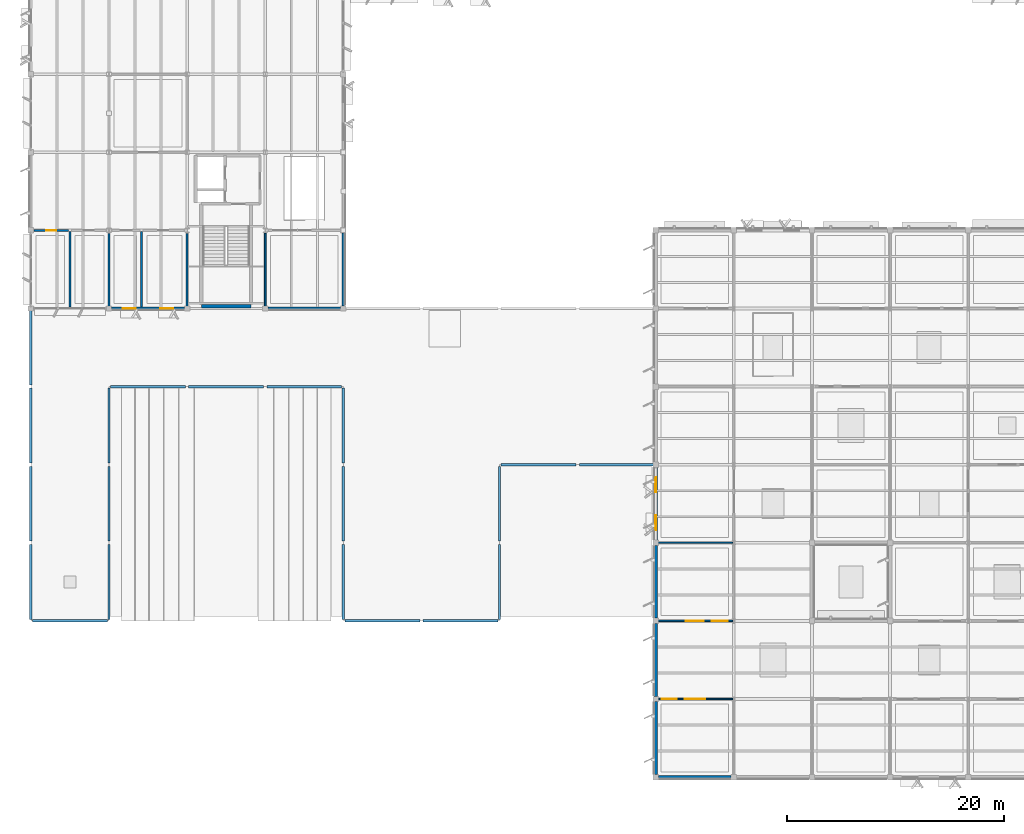
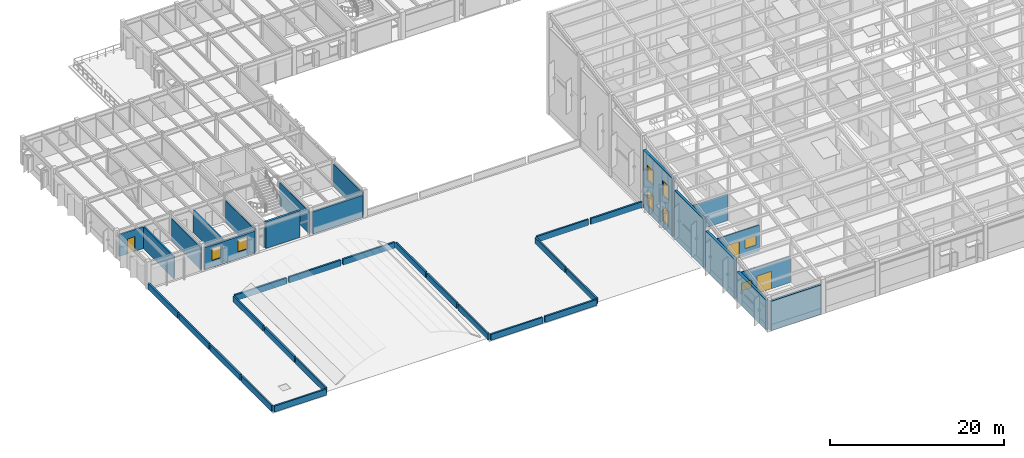
# One storey, part 31 of 82: 38 walls, 8 windows, 3 doors, 11 openings.
"""IFC4 building model written with IfcOpenShell, lengths in metres."""

from ifc_helpers import new_model, si_unit, direction, frame, frame_2d, origin, place, context, subcontext, project, spatial, rectangle, extrude, material, layer, layer_set, type_object, element, fill, save


model = new_model("IFC4")

# Units and contexts
model_context = context("Model", 3, precision=1e-05, world=origin(), true_north=direction((0.0, 1.0)))
body_context = subcontext(model_context, "Body", "Model", "MODEL_VIEW")
ifc_project = project(units=[si_unit("LENGTHUNIT", "METRE"), si_unit("AREAUNIT", "SQUARE_METRE"), si_unit("VOLUMEUNIT", "CUBIC_METRE"), si_unit("PLANEANGLEUNIT", "RADIAN"), si_unit("MASSUNIT", "GRAM", prefix="KILO")], contexts=[model_context])

# Site, building, storey
site_placement = place(None, origin())
site = spatial("IfcSite", under=ifc_project, at=site_placement, CompositionType="ELEMENT")
building_placement = place(site_placement, origin())
building = spatial("IfcBuilding", under=site, at=building_placement, Name="Sillqori Civic Hall", CompositionType="ELEMENT")
storey_placement = place(building_placement, frame((0.0, 0.0, 14.10009765625)))
storey = spatial("IfcBuildingStorey", under=building, at=storey_placement, Name="L04", CompositionType="ELEMENT", Elevation=14.10009765625)

# Walls
ifc_material_1 = material(Name="Concrete C35/45 (H35)", Category="concrete")
ifc_layer_1 = layer(ifc_material_1, 0.300048828125)
ifc_layer_set_1 = layer_set([ifc_layer_1], Name="Concrete C35/45 (H35)")
wall_type_1 = type_object("IfcWallType", Name="CW-SHR-300", PredefinedType="SHEAR", material=ifc_layer_set_1)
wall_1_placement = place(storey_placement, frame((22.909912109375, 50.60009765625, 0.0), z_axis=(0.0, 0.0, 1.0), x_axis=(1.0, 0.0, 0.0)))
element("IfcWall", 1, at=wall_1_placement, inside=storey, type_object=wall_type_1, Name="L04 C4 Stair south shear wall", PredefinedType="SHEAR", context=body_context, shape_type="SweptSolid", body=[
    extrude(rectangle(XDim=4.580078125, YDim=0.300048828125, at=frame_2d((2.2900390625, 0.0))), origin(), (0.0, 0.0, 1.0), 3.719970703125),
])
ifc_material_2 = material(Name="Precast concrete C40/50 (H40)", Category="concrete")
ifc_layer_2 = layer(ifc_material_2, 0.320068359375)
ifc_layer_set_2 = layer_set([ifc_layer_2], Name="Precast concrete C40/50 (H40)")
wall_type_2 = type_object("IfcWallType", Name="EW-LIME-320", PredefinedType="SOLIDWALL", material=ifc_layer_set_2)
wall_2_placement = place(storey_placement, frame((71.75, 7.199951171875, 0.0), z_axis=(0.0, 0.0, 1.0), x_axis=(-1.0, 0.0, 0.0)))
element("IfcWall", 2, at=wall_2_placement, inside=storey, type_object=wall_type_2, Name="L04 V2 exterior wall L04-09-01-S", PredefinedType="SOLIDWALL", context=body_context, shape_type="SweptSolid", body=[
    extrude(rectangle(XDim=6.699951171875, YDim=0.320068359375, at=frame_2d((3.35009765625, 0.0))), origin(), (0.0, 0.0, 1.0), 4.149169921875),
])
wall_3_placement = place(storey_placement, frame((64.800048828125, 7.449951171875, 0.0), z_axis=(0.0, 0.0, 1.0), x_axis=(0.0, 1.0, 0.0)))
element("IfcWall", 3, at=wall_3_placement, inside=storey, type_object=wall_type_2, Name="L04 V2 exterior wall L04-09-01-W", PredefinedType="SOLIDWALL", context=body_context, shape_type="SweptSolid", body=[
    extrude(rectangle(XDim=6.699951171875, YDim=0.320068359375, at=frame_2d((3.35009765625, 0.0))), origin(), (0.0, 0.0, 1.0), 4.193115234375),
])
wall_4_placement = place(storey_placement, frame((64.800048828125, 14.64990234375, 0.0), z_axis=(0.0, 0.0, 1.0), x_axis=(0.0, 1.0, 0.0)))
element("IfcWall", 4, at=wall_4_placement, inside=storey, type_object=wall_type_2, Name="L04 V2 exterior wall L04-09-02-W", PredefinedType="SOLIDWALL", context=body_context, shape_type="SweptSolid", body=[
    extrude(rectangle(XDim=6.7001953125, YDim=0.320068359375, at=frame_2d((3.35009765625, 0.0))), origin(), (0.0, 0.0, 1.0), 5.5361328125),
])
wall_5_placement = place(storey_placement, frame((64.800048828125, 21.85009765625, 0.0), z_axis=(0.0, 0.0, 1.0), x_axis=(0.0, 1.0, 0.0)))
element("IfcWall", 5, at=wall_5_placement, inside=storey, type_object=wall_type_2, Name="L04 V2 exterior wall L04-09-03-W", PredefinedType="SOLIDWALL", context=body_context, shape_type="SweptSolid", body=[
    extrude(rectangle(XDim=6.699951171875, YDim=0.320068359375, at=frame_2d((3.35009765625, 0.0))), origin(), (0.0, 0.0, 1.0), 6.87890625),
])

# Wall, openings, windows
wall_6_placement = place(storey_placement, frame((64.800048828125, 29.050048828125, 0.0), z_axis=(0.0, 0.0, 1.0), x_axis=(0.0, 1.0, 0.0)))
wall_6 = element("IfcWall", 6, at=wall_6_placement, inside=storey, type_object=wall_type_2, Name="L04 V2 exterior wall L04-09-04-W", PredefinedType="SOLIDWALL", context=body_context, shape_type="SweptSolid", body=[
    extrude(rectangle(XDim=6.699951171875, YDim=0.320068359375, at=frame_2d((3.35009765625, 0.0))), origin(), (0.0, 0.0, 1.0), 8.221923828125),
])
opening_1_placement = place(wall_6_placement, frame((0.907958984375, 0.0, 0.949951171875)))
opening_1 = element("IfcOpeningElement", 7, at=opening_1_placement, cuts=wall_6, Name="Opening W-03", PredefinedType="OPENING", context=body_context, shape_type="SweptSolid", body=[
    extrude(rectangle(XDim=1.39990234375, YDim=2.10009765625, at=frame_2d((0.699951171875, 1.050048828125))), frame((0.0, 0.169921875, 0.0), z_axis=(0.0, -1.0, 0.0), x_axis=(1.0, 0.0, 0.0)), (0.0, 0.0, 1.0), 0.340087890625),
])
opening_2_placement = place(wall_6_placement, frame((0.907958984375, 0.0, 4.550048828125)))
opening_2 = element("IfcOpeningElement", 8, at=opening_2_placement, cuts=wall_6, Name="Opening W-03", PredefinedType="OPENING", context=body_context, shape_type="SweptSolid", body=[
    extrude(rectangle(XDim=1.39990234375, YDim=2.10009765625, at=frame_2d((0.699951171875, 1.050048828125))), frame((0.0, 0.169921875, 0.0), z_axis=(0.0, -1.0, 0.0), x_axis=(1.0, 0.0, 0.0)), (0.0, 0.0, 1.0), 0.340087890625),
])
opening_3_placement = place(wall_6_placement, frame((4.39208984375, 0.0, 0.949951171875)))
opening_3 = element("IfcOpeningElement", 9, at=opening_3_placement, cuts=wall_6, Name="Opening W-03", PredefinedType="OPENING", context=body_context, shape_type="SweptSolid", body=[
    extrude(rectangle(XDim=1.39990234375, YDim=2.10009765625, at=frame_2d((0.699951171875, 1.050048828125))), frame((0.0, 0.169921875, 0.0), z_axis=(0.0, -1.0, 0.0), x_axis=(1.0, 0.0, 0.0)), (0.0, 0.0, 1.0), 0.340087890625),
])
opening_4_placement = place(wall_6_placement, frame((4.39208984375, 0.0, 4.550048828125)))
opening_4 = element("IfcOpeningElement", 10, at=opening_4_placement, cuts=wall_6, Name="Opening W-03", PredefinedType="OPENING", context=body_context, shape_type="SweptSolid", body=[
    extrude(rectangle(XDim=1.39990234375, YDim=2.10009765625, at=frame_2d((0.699951171875, 1.050048828125))), frame((0.0, 0.169921875, 0.0), z_axis=(0.0, -1.0, 0.0), x_axis=(1.0, 0.0, 0.0)), (0.0, 0.0, 1.0), 0.340087890625),
])
ifc_material_3 = material(Name="Thermally Broken Aluminium Low-E Window", Category="aluminium")
window_type_1 = type_object("IfcWindowType", Name="WIN-V2-140X210", PartitioningType="SINGLE_PANEL", PredefinedType="WINDOW", material=ifc_material_3)
window_1_placement = place(opening_1_placement, origin())
window_1 = element("IfcWindow", 11, at=window_1_placement, inside=storey, type_object=window_type_1, Name="L04 V2 window L04-09-04-W.1", OverallHeight=2.10009765625, OverallWidth=1.39990234375, PartitioningType="SINGLE_PANEL", PredefinedType="WINDOW", context=body_context, shape_type="SweptSolid", body=[
    extrude(rectangle(XDim=1.39990234375, YDim=2.10009765625, at=frame_2d((0.699951171875, 1.050048828125))), frame((0.0, 0.030029296875, 0.0), z_axis=(0.0, -1.0, 0.0), x_axis=(1.0, 0.0, 0.0)), (0.0, 0.0, 1.0), 0.06005859375),
])
fill(opening_1, window_1)
window_2_placement = place(opening_2_placement, origin())
window_2 = element("IfcWindow", 12, at=window_2_placement, inside=storey, type_object=window_type_1, Name="L04 V2 upper clerestory window L04-09-04-W.1", OverallHeight=2.10009765625, OverallWidth=1.39990234375, PartitioningType="SINGLE_PANEL", PredefinedType="WINDOW", context=body_context, shape_type="SweptSolid", body=[
    extrude(rectangle(XDim=1.39990234375, YDim=2.10009765625, at=frame_2d((0.699951171875, 1.050048828125))), frame((0.0, 0.030029296875, 0.0), z_axis=(0.0, -1.0, 0.0), x_axis=(1.0, 0.0, 0.0)), (0.0, 0.0, 1.0), 0.06005859375),
])
fill(opening_2, window_2)
window_3_placement = place(opening_3_placement, origin())
window_3 = element("IfcWindow", 13, at=window_3_placement, inside=storey, type_object=window_type_1, Name="L04 V2 window L04-09-04-W.2", OverallHeight=2.10009765625, OverallWidth=1.39990234375, PartitioningType="SINGLE_PANEL", PredefinedType="WINDOW", context=body_context, shape_type="SweptSolid", body=[
    extrude(rectangle(XDim=1.39990234375, YDim=2.10009765625, at=frame_2d((0.699951171875, 1.050048828125))), frame((0.0, 0.030029296875, 0.0), z_axis=(0.0, -1.0, 0.0), x_axis=(1.0, 0.0, 0.0)), (0.0, 0.0, 1.0), 0.06005859375),
])
fill(opening_3, window_3)
window_4_placement = place(opening_4_placement, origin())
window_4 = element("IfcWindow", 14, at=window_4_placement, inside=storey, type_object=window_type_1, Name="L04 V2 upper clerestory window L04-09-04-W.2", OverallHeight=2.10009765625, OverallWidth=1.39990234375, PartitioningType="SINGLE_PANEL", PredefinedType="WINDOW", context=body_context, shape_type="SweptSolid", body=[
    extrude(rectangle(XDim=1.39990234375, YDim=2.10009765625, at=frame_2d((0.699951171875, 1.050048828125))), frame((0.0, 0.030029296875, 0.0), z_axis=(0.0, -1.0, 0.0), x_axis=(1.0, 0.0, 0.0)), (0.0, 0.0, 1.0), 0.06005859375),
])
fill(opening_4, window_4)

ifc_material_4 = material(Name="Concrete C30/37 (H30)", Category="concrete")
ifc_layer_3 = layer(ifc_material_4, 0.239990234375)
ifc_layer_set_3 = layer_set([ifc_layer_3], Name="Concrete C30/37 (H30)")
wall_type_3 = type_object("IfcWallType", Name="EW-MAS-240", PredefinedType="SOLIDWALL", material=ifc_layer_set_3)
wall_7_placement = place(storey_placement, frame((21.35009765625, 50.39990234375, 0.0), z_axis=(0.0, 0.0, 1.0), x_axis=(-1.0, 0.0, 0.0)))
wall_7 = element("IfcWall", 15, at=wall_7_placement, inside=storey, type_object=wall_type_3, Name="L04 V5 exterior wall L04-02-07-S", PredefinedType="SOLIDWALL", context=body_context, shape_type="SweptSolid", body=[
    extrude(rectangle(XDim=6.7001953125, YDim=0.239990234375, at=frame_2d((3.35009765625, 0.0))), origin(), (0.0, 0.0, 1.0), 3.117919921875),
])
opening_5_placement = place(wall_7_placement, frame((1.008056640625, 0.0, 0.949951171875)))
opening_5 = element("IfcOpeningElement", 16, at=opening_5_placement, cuts=wall_7, Name="Opening W-22", PredefinedType="OPENING", context=body_context, shape_type="SweptSolid", body=[
    extrude(rectangle(XDim=1.199951171875, YDim=1.699951171875, at=frame_2d((0.60009765625, 0.85009765625))), frame((0.0, 0.1298828125, 0.0), z_axis=(0.0, -1.0, 0.0), x_axis=(1.0, 0.0, 0.0)), (0.0, 0.0, 1.0), 0.260009765625),
])
opening_6_placement = place(wall_7_placement, frame((4.491943359375, 0.0, 0.949951171875)))
opening_6 = element("IfcOpeningElement", 17, at=opening_6_placement, cuts=wall_7, Name="Opening W-22", PredefinedType="OPENING", context=body_context, shape_type="SweptSolid", body=[
    extrude(rectangle(XDim=1.199951171875, YDim=1.699951171875, at=frame_2d((0.60009765625, 0.85009765625))), frame((0.0, 0.1298828125, 0.0), z_axis=(0.0, -1.0, 0.0), x_axis=(1.0, 0.0, 0.0)), (0.0, 0.0, 1.0), 0.260009765625),
])
window_type_2 = type_object("IfcWindowType", Name="WIN-V5-120X170", PartitioningType="SINGLE_PANEL", PredefinedType="WINDOW", material=ifc_material_3)
window_5_placement = place(opening_5_placement, origin())
window_5 = element("IfcWindow", 18, at=window_5_placement, inside=storey, type_object=window_type_2, Name="L04 V5 window L04-02-07-S.1", OverallHeight=1.699951171875, OverallWidth=1.199951171875, PartitioningType="SINGLE_PANEL", PredefinedType="WINDOW", context=body_context, shape_type="SweptSolid", body=[
    extrude(rectangle(XDim=1.199951171875, YDim=1.699951171875, at=frame_2d((0.60009765625, 0.85009765625))), frame((0.0, 0.030029296875, 0.0), z_axis=(0.0, -1.0, 0.0), x_axis=(1.0, 0.0, 0.0)), (0.0, 0.0, 1.0), 0.06005859375),
])
fill(opening_5, window_5)
window_6_placement = place(opening_6_placement, origin())
window_6 = element("IfcWindow", 19, at=window_6_placement, inside=storey, type_object=window_type_2, Name="L04 V5 window L04-02-07-S.2", OverallHeight=1.699951171875, OverallWidth=1.199951171875, PartitioningType="SINGLE_PANEL", PredefinedType="WINDOW", context=body_context, shape_type="SweptSolid", body=[
    extrude(rectangle(XDim=1.199951171875, YDim=1.699951171875, at=frame_2d((0.60009765625, 0.85009765625))), frame((0.0, 0.030029296875, 0.0), z_axis=(0.0, -1.0, 0.0), x_axis=(1.0, 0.0, 0.0)), (0.0, 0.0, 1.0), 0.06005859375),
])
fill(opening_6, window_6)

# Walls
wall_8_placement = place(storey_placement, frame((35.75, 50.39990234375, 0.0), z_axis=(0.0, 0.0, 1.0), x_axis=(-1.0, 0.0, 0.0)))
element("IfcWall", 20, at=wall_8_placement, inside=storey, type_object=wall_type_3, Name="L04 V5 exterior wall L04-04-07-S", PredefinedType="SOLIDWALL", context=body_context, shape_type="SweptSolid", body=[
    extrude(rectangle(XDim=6.699951171875, YDim=0.239990234375, at=frame_2d((3.35009765625, 0.0))), origin(), (0.0, 0.0, 1.0), 3.117919921875),
])
wall_9_placement = place(storey_placement, frame((36.0, 57.35009765625, 0.0), z_axis=(0.0, 0.0, 1.0), x_axis=(0.0, -1.0, 0.0)))
element("IfcWall", 21, at=wall_9_placement, inside=storey, type_object=wall_type_3, Name="L04 V5 exterior wall L04-04-07-E", PredefinedType="SOLIDWALL", context=body_context, shape_type="SweptSolid", body=[
    extrude(rectangle(XDim=6.7001953125, YDim=0.239990234375, at=frame_2d((3.35009765625, 0.0))), origin(), (0.0, 0.0, 1.0), 3.19189453125),
])

# Wall, openings, door, window
ifc_material_5 = material(Name="Framed Acoustic Glazed Office Screen 106", Category="glass")
ifc_layer_4 = layer(ifc_material_5, 0.10595703125)
ifc_layer_set_4 = layer_set([ifc_layer_4], Name="Framed Acoustic Glazed Office Screen 106")
wall_type_4 = type_object("IfcWallType", Name="PT-GLZ-106", PredefinedType="PARTITIONING", material=ifc_layer_set_4)
wall_10_placement = place(storey_placement, frame((64.919921875, 14.39990234375, 0.0), z_axis=(0.0, 0.0, 1.0), x_axis=(1.0, 0.0, 0.0)))
wall_10 = element("IfcWall", 22, at=wall_10_placement, inside=storey, type_object=wall_type_4, Name="Wedge Sky-Lit Public Exhibition Hall partition N1", PredefinedType="PARTITIONING", context=body_context, shape_type="SweptSolid", body=[
    extrude(rectangle(XDim=6.9599609375, YDim=0.10595703125, at=frame_2d((3.47998046875, 0.0))), origin(), (0.0, 0.0, 1.0), 3.719970703125),
])
opening_7_placement = place(wall_10_placement, frame((2.530029296875, 0.0, 0.0)))
opening_7 = element("IfcOpeningElement", 23, at=opening_7_placement, cuts=wall_10, Name="Opening ID-11", PredefinedType="OPENING", context=body_context, shape_type="SweptSolid", body=[
    extrude(rectangle(XDim=1.89990234375, YDim=2.449951171875, at=frame_2d((0.949951171875, 1.22509765625))), frame((0.0, 0.06298828125, 0.0), z_axis=(0.0, -1.0, 0.0), x_axis=(1.0, 0.0, 0.0)), (0.0, 0.0, 1.0), 0.1259765625),
])
opening_8_placement = place(wall_10_placement, frame((0.449951171875, 0.0, 1.050048828125)))
opening_8 = element("IfcOpeningElement", 24, at=opening_8_placement, cuts=wall_10, Name="Opening IW-39", PredefinedType="OPENING", context=body_context, shape_type="SweptSolid", body=[
    extrude(rectangle(XDim=1.360107421875, YDim=1.10009765625, at=frame_2d((0.68017578125, 0.550048828125))), frame((0.0, 0.06298828125, 0.0), z_axis=(0.0, -1.0, 0.0), x_axis=(1.0, 0.0, 0.0)), (0.0, 0.0, 1.0), 0.1259765625),
])
ifc_material_6 = material(Name="Exhibition Gallery Portal Door", Category="aluminium")
door_type_1 = type_object("IfcDoorType", Name="IDR-EXH-190X245", OperationType="NOTDEFINED", PredefinedType="DOOR", material=ifc_material_6)
door_1_placement = place(opening_7_placement, origin())
door_1 = element("IfcDoor", 25, at=door_1_placement, inside=storey, type_object=door_type_1, Name="Wedge Sky-Lit Public Exhibition Hall entrance door", OperationType="DOUBLE_DOOR_SINGLE_SWING", OverallHeight=2.449951171875, OverallWidth=1.89990234375, PredefinedType="DOOR", context=body_context, shape_type="SweptSolid", body=[
    extrude(rectangle(XDim=1.89990234375, YDim=2.449951171875, at=frame_2d((0.949951171875, 1.22509765625))), frame((0.0, 0.02490234375, 0.0), z_axis=(0.0, -1.0, 0.0), x_axis=(1.0, 0.0, 0.0)), (0.0, 0.0, 1.0), 0.050048828125),
])
fill(opening_7, door_1)
ifc_material_7 = material(Name="Acoustic Laminated Interior Clerestory Glazing", Category="glass")
window_type_3 = type_object("IfcWindowType", Name="IWN-GAL-136X110", PartitioningType="SINGLE_PANEL", PredefinedType="WINDOW", material=ifc_material_7)
window_7_placement = place(opening_8_placement, origin())
window_7 = element("IfcWindow", 26, at=window_7_placement, inside=storey, type_object=window_type_3, Name="Wedge Sky-Lit Public Exhibition Hall borrowed-light screen", OverallHeight=1.10009765625, OverallWidth=1.360107421875, PartitioningType="SINGLE_PANEL", PredefinedType="WINDOW", context=body_context, shape_type="SweptSolid", body=[
    extrude(rectangle(XDim=1.360107421875, YDim=1.10009765625, at=frame_2d((0.68017578125, 0.550048828125))), frame((0.0, 0.030029296875, 0.0), z_axis=(0.0, -1.0, 0.0), x_axis=(1.0, 0.0, 0.0)), (0.0, 0.0, 1.0), 0.06005859375),
])
fill(opening_8, window_7)

# Wall
ifc_material_8 = material(Name="Double-Glazed Civic Suite Screen 118", Category="glass")
ifc_layer_5 = layer(ifc_material_8, 0.117919921875)
ifc_layer_set_5 = layer_set([ifc_layer_5], Name="Double-Glazed Civic Suite Screen 118")
wall_type_5 = type_object("IfcWallType", Name="PT-GLZ-118", PredefinedType="PARTITIONING", material=ifc_layer_set_5)
wall_11_placement = place(storey_placement, frame((64.919921875, 28.800048828125, 0.0), z_axis=(0.0, 0.0, 1.0), x_axis=(1.0, 0.0, 0.0)))
element("IfcWall", 27, at=wall_11_placement, inside=storey, type_object=wall_type_5, Name="Metropolitan Regional Assembly Forum partition N2", PredefinedType="PARTITIONING", context=body_context, shape_type="SweptSolid", body=[
    extrude(rectangle(XDim=6.9599609375, YDim=0.117919921875, at=frame_2d((3.47998046875, 0.0))), origin(), (0.0, 0.0, 1.0), 3.719970703125),
])

# Wall, openings, door, window
ifc_material_9 = material(Name="Corridor Fire-Rated Partition 150", Category="gypsum")
ifc_layer_6 = layer(ifc_material_9, 0.14990234375)
ifc_layer_set_6 = layer_set([ifc_layer_6], Name="Corridor Fire-Rated Partition 150")
wall_type_6 = type_object("IfcWallType", Name="PT-GYP-150", PredefinedType="PARTITIONING", material=ifc_layer_set_6)
wall_12_placement = place(storey_placement, frame((71.8798828125, 21.60009765625, 0.0), z_axis=(0.0, 0.0, 1.0), x_axis=(-1.0, 0.0, 0.0)))
wall_12 = element("IfcWall", 28, at=wall_12_placement, inside=storey, type_object=wall_type_6, Name="Metropolitan Regional Assembly Forum partition S1", PredefinedType="PARTITIONING", context=body_context, shape_type="SweptSolid", body=[
    extrude(rectangle(XDim=6.9599609375, YDim=0.14990234375, at=frame_2d((3.47998046875, 0.0))), origin(), (0.0, 0.0, 1.0), 3.719970703125),
])
opening_9_placement = place(wall_12_placement, frame((2.655029296875, 0.0, 0.0)))
opening_9 = element("IfcOpeningElement", 29, at=opening_9_placement, cuts=wall_12, Name="Opening ID-04", PredefinedType="OPENING", context=body_context, shape_type="SweptSolid", body=[
    extrude(rectangle(XDim=1.64990234375, YDim=2.35009765625, at=frame_2d((0.824951171875, 1.175048828125))), frame((0.0, 0.0849609375, 0.0), z_axis=(0.0, -1.0, 0.0), x_axis=(1.0, 0.0, 0.0)), (0.0, 0.0, 1.0), 0.169921875),
])
opening_10_placement = place(wall_12_placement, frame((0.449951171875, 0.0, 1.050048828125)))
opening_10 = element("IfcOpeningElement", 30, at=opening_10_placement, cuts=wall_12, Name="Opening IW-40", PredefinedType="OPENING", context=body_context, shape_type="SweptSolid", body=[
    extrude(rectangle(XDim=1.47998046875, YDim=1.340087890625, at=frame_2d((0.739990234375, 0.669921875))), frame((0.0, 0.0849609375, 0.0), z_axis=(0.0, -1.0, 0.0), x_axis=(1.0, 0.0, 0.0)), (0.0, 0.0, 1.0), 0.169921875),
])
ifc_material_10 = material(Name="Caucus Salon Acoustic Double Door", Category="timber")
door_type_2 = type_object("IfcDoorType", Name="IDR-COM-165X235", OperationType="NOTDEFINED", PredefinedType="DOOR", material=ifc_material_10)
door_2_placement = place(opening_9_placement, origin())
door_2 = element("IfcDoor", 31, at=door_2_placement, inside=storey, type_object=door_type_2, Name="Metropolitan Regional Assembly Forum entrance door", OperationType="DOUBLE_DOOR_SINGLE_SWING", OverallHeight=2.35009765625, OverallWidth=1.64990234375, PredefinedType="DOOR", context=body_context, shape_type="SweptSolid", body=[
    extrude(rectangle(XDim=1.64990234375, YDim=2.35009765625, at=frame_2d((0.824951171875, 1.175048828125))), frame((0.0, 0.02490234375, 0.0), z_axis=(0.0, -1.0, 0.0), x_axis=(1.0, 0.0, 0.0)), (0.0, 0.0, 1.0), 0.050048828125),
])
fill(opening_9, door_2)
window_type_4 = type_object("IfcWindowType", Name="IWN-GAL-148X134", PartitioningType="SINGLE_PANEL", PredefinedType="WINDOW", material=ifc_material_7)
window_8_placement = place(opening_10_placement, origin())
window_8 = element("IfcWindow", 32, at=window_8_placement, inside=storey, type_object=window_type_4, Name="Metropolitan Regional Assembly Forum borrowed-light screen", OverallHeight=1.340087890625, OverallWidth=1.47998046875, PartitioningType="SINGLE_PANEL", PredefinedType="WINDOW", context=body_context, shape_type="SweptSolid", body=[
    extrude(rectangle(XDim=1.47998046875, YDim=1.340087890625, at=frame_2d((0.739990234375, 0.669921875))), frame((0.0, 0.030029296875, 0.0), z_axis=(0.0, -1.0, 0.0), x_axis=(1.0, 0.0, 0.0)), (0.0, 0.0, 1.0), 0.06005859375),
])
fill(opening_10, window_8)

# Wall
ifc_material_11 = material(Name="Concrete C25/30 (H25)", Category="concrete")
ifc_layer_7 = layer(ifc_material_11, 0.175048828125)
ifc_layer_set_7 = layer_set([ifc_layer_7], Name="Concrete C25/30 (H25)")
wall_type_7 = type_object("IfcWallType", Name="PT-MAS-175", PredefinedType="PARTITIONING", material=ifc_layer_set_7)
wall_13_placement = place(storey_placement, frame((28.800048828125, 50.52001953125, 0.0), z_axis=(0.0, 0.0, 1.0), x_axis=(0.0, 1.0, 0.0)))
element("IfcWall", 33, at=wall_13_placement, inside=storey, type_object=wall_type_7, Name="Councillors Legislative Research Suite partition W2", PredefinedType="PARTITIONING", context=body_context, shape_type="SweptSolid", body=[
    extrude(rectangle(XDim=6.800048828125, YDim=0.175048828125, at=frame_2d((3.39990234375, 0.0))), origin(), (0.0, 0.0, 1.0), 3.10791015625),
])

# Wall, opening, door
ifc_layer_8 = layer(ifc_material_11, 0.18994140625)
ifc_layer_set_8 = layer_set([ifc_layer_8], Name="Concrete C25/30 (H25)")
wall_type_8 = type_object("IfcWallType", Name="PT-MAS-190", PredefinedType="PARTITIONING", material=ifc_layer_set_8)
wall_14_placement = place(storey_placement, frame((7.47998046875, 57.60009765625, 0.0), z_axis=(0.0, 0.0, 1.0), x_axis=(1.0, 0.0, 0.0)))
wall_14 = element("IfcWall", 34, at=wall_14_placement, inside=storey, type_object=wall_type_8, Name="L04 Public Male WC partition N1", PredefinedType="PARTITIONING", context=body_context, shape_type="SweptSolid", body=[
    extrude(rectangle(XDim=3.199951171875, YDim=0.18994140625, at=frame_2d((1.60009765625, 0.0))), origin(), (0.0, 0.0, 1.0), 3.087890625),
])
opening_11_placement = place(wall_14_placement, frame((1.1201171875, 0.0, 0.0)))
opening_11 = element("IfcOpeningElement", 35, at=opening_11_placement, cuts=wall_14, Name="Opening ID-20", PredefinedType="OPENING", context=body_context, shape_type="SweptSolid", body=[
    extrude(rectangle(XDim=0.9599609375, YDim=2.10009765625, at=frame_2d((0.47998046875, 1.050048828125))), frame((0.0, 0.10498046875, 0.0), z_axis=(0.0, -1.0, 0.0), x_axis=(1.0, 0.0, 0.0)), (0.0, 0.0, 1.0), 0.2099609375),
])
ifc_material_12 = material(Name="Moisture-Resistant Sanitary Door 960", Category="timber")
door_type_3 = type_object("IfcDoorType", Name="IDR-WC-096X210", OperationType="NOTDEFINED", PredefinedType="DOOR", material=ifc_material_12)
door_3_placement = place(opening_11_placement, origin())
door_3 = element("IfcDoor", 36, at=door_3_placement, inside=storey, type_object=door_type_3, Name="L04 Public Male WC entrance door", OperationType="SINGLE_SWING_LEFT", OverallHeight=2.10009765625, OverallWidth=0.9599609375, PredefinedType="DOOR", context=body_context, shape_type="SweptSolid", body=[
    extrude(rectangle(XDim=0.9599609375, YDim=2.10009765625, at=frame_2d((0.47998046875, 1.050048828125))), frame((0.0, 0.02490234375, 0.0), z_axis=(0.0, -1.0, 0.0), x_axis=(1.0, 0.0, 0.0)), (0.0, 0.0, 1.0), 0.050048828125),
])
fill(opening_11, door_3)

# Walls
wall_15_placement = place(storey_placement, frame((10.800048828125, 57.47998046875, 0.0), z_axis=(0.0, 0.0, 1.0), x_axis=(0.0, -1.0, 0.0)))
element("IfcWall", 37, at=wall_15_placement, inside=storey, type_object=wall_type_8, Name="L04 Public Male WC partition E2", PredefinedType="PARTITIONING", context=body_context, shape_type="SweptSolid", body=[
    extrude(rectangle(XDim=6.9599609375, YDim=0.18994140625, at=frame_2d((3.47998046875, 0.0))), origin(), (0.0, 0.0, 1.0), 3.087890625),
])
wall_16_placement = place(storey_placement, frame((14.39990234375, 57.320068359375, 0.0), z_axis=(0.0, 0.0, 1.0), x_axis=(0.0, -1.0, 0.0)))
element("IfcWall", 38, at=wall_16_placement, inside=storey, type_object=wall_type_8, Name="L04 Public Female WC partition E3", PredefinedType="PARTITIONING", context=body_context, shape_type="SweptSolid", body=[
    extrude(rectangle(XDim=6.800048828125, YDim=0.18994140625, at=frame_2d((3.39990234375, 0.0))), origin(), (0.0, 0.0, 1.0), 3.087890625),
])
wall_17_placement = place(storey_placement, frame((17.39990234375, 57.47998046875, 0.0), z_axis=(0.0, 0.0, 1.0), x_axis=(0.0, -1.0, 0.0)))
element("IfcWall", 39, at=wall_17_placement, inside=storey, type_object=wall_type_8, Name="L04 Accessible WC partition E3", PredefinedType="PARTITIONING", context=body_context, shape_type="SweptSolid", body=[
    extrude(rectangle(XDim=6.9599609375, YDim=0.18994140625, at=frame_2d((3.47998046875, 0.0))), origin(), (0.0, 0.0, 1.0), 3.10791015625),
])
wall_18_placement = place(storey_placement, frame((21.60009765625, 57.320068359375, 0.0), z_axis=(0.0, 0.0, 1.0), x_axis=(0.0, -1.0, 0.0)))
element("IfcWall", 40, at=wall_18_placement, inside=storey, type_object=wall_type_8, Name="L04 Staff Sanitary and Cleaners Room partition E3", PredefinedType="PARTITIONING", context=body_context, shape_type="SweptSolid", body=[
    extrude(rectangle(XDim=6.800048828125, YDim=0.18994140625, at=frame_2d((3.39990234375, 0.0))), origin(), (0.0, 0.0, 1.0), 3.10791015625),
])
ifc_layer_9 = layer(ifc_material_2, 0.219970703125)
ifc_layer_set_9 = layer_set([ifc_layer_9], Name="Precast concrete C40/50 (H40)")
wall_type_9 = type_object("IfcWallType", Name="WP-PAR-220", PredefinedType="PARAPET", material=ifc_layer_set_9)
wall_19_placement = place(storey_placement, frame((7.199951171875, 36.14990234375, 0.0), z_axis=(0.0, 0.0, 1.0), x_axis=(0.0, 1.0, 0.0)))
element("IfcWall", 41, at=wall_19_placement, inside=storey, type_object=wall_type_9, Name="L04 roof parapet 00", PredefinedType="PARAPET", context=body_context, shape_type="SweptSolid", body=[
    extrude(rectangle(XDim=6.900146484375, YDim=0.219970703125, at=frame_2d((3.4501953125, 0.0))), origin(), (0.0, 0.0, 1.0), 0.849853515625),
])
for number, where, z_axis, x_axis, name in (
    (42, (7.199951171875, 43.35009765625, 0.0), (0.0, 0.0, 1.0), (0.0, 1.0, 0.0), "L04 roof parapet 01"),
    (43, (64.64990234375, 36.0, 0.0), (0.0, 0.0, 1.0), (-1.0, 0.0, 0.0), "L04 roof parapet 12"),
    (44, (57.449951171875, 36.0, 0.0), (0.0, 0.0, 1.0), (-1.0, 0.0, 0.0), "L04 roof parapet 13"),
):
    element("IfcWall", number, at=place(storey_placement, frame(where, z_axis=z_axis, x_axis=x_axis)), inside=storey, type_object=wall_type_9, Name=name, PredefinedType="PARAPET", context=body_context, shape_type="SweptSolid", body=[
        extrude(rectangle(XDim=6.89990234375, YDim=0.219970703125, at=frame_2d((3.449951171875, 0.0))), origin(), (0.0, 0.0, 1.0), 0.849853515625),
    ])
wall_20_placement = place(storey_placement, frame((50.39990234375, 35.85009765625, 0.0), z_axis=(0.0, 0.0, 1.0), x_axis=(0.0, -1.0, 0.0)))
element("IfcWall", 45, at=wall_20_placement, inside=storey, type_object=wall_type_9, Name="L04 roof parapet 14", PredefinedType="PARAPET", context=body_context, shape_type="SweptSolid", body=[
    extrude(rectangle(XDim=6.900146484375, YDim=0.219970703125, at=frame_2d((3.4501953125, 0.0))), origin(), (0.0, 0.0, 1.0), 0.849853515625),
])
for number, where, z_axis, x_axis, name in (
    (46, (50.39990234375, 28.64990234375, 0.0), (0.0, 0.0, 1.0), (0.0, -1.0, 0.0), "L04 roof parapet 15"),
    (47, (50.25, 21.60009765625, 0.0), (0.0, 0.0, 1.0), (-1.0, 0.0, 0.0), "L04 roof parapet 16"),
):
    element("IfcWall", number, at=place(storey_placement, frame(where, z_axis=z_axis, x_axis=x_axis)), inside=storey, type_object=wall_type_9, Name=name, PredefinedType="PARAPET", context=body_context, shape_type="SweptSolid", body=[
        extrude(rectangle(XDim=6.89990234375, YDim=0.219970703125, at=frame_2d((3.449951171875, 0.0))), origin(), (0.0, 0.0, 1.0), 0.849853515625),
    ])
wall_21_placement = place(storey_placement, frame((43.050048828125, 21.60009765625, 0.0), z_axis=(0.0, 0.0, 1.0), x_axis=(-1.0, 0.0, 0.0)))
element("IfcWall", 48, at=wall_21_placement, inside=storey, type_object=wall_type_9, Name="L04 roof parapet 17", PredefinedType="PARAPET", context=body_context, shape_type="SweptSolid", body=[
    extrude(rectangle(XDim=6.900146484375, YDim=0.219970703125, at=frame_2d((3.4501953125, 0.0))), origin(), (0.0, 0.0, 1.0), 0.849853515625),
])
wall_22_placement = place(storey_placement, frame((36.0, 21.75, 0.0), z_axis=(0.0, 0.0, 1.0), x_axis=(0.0, 1.0, 0.0)))
element("IfcWall", 49, at=wall_22_placement, inside=storey, type_object=wall_type_9, Name="L04 roof parapet 18", PredefinedType="PARAPET", context=body_context, shape_type="SweptSolid", body=[
    extrude(rectangle(XDim=6.89990234375, YDim=0.219970703125, at=frame_2d((3.449951171875, 0.0))), origin(), (0.0, 0.0, 1.0), 0.849853515625),
])
for number, where, z_axis, x_axis, name in (
    (50, (36.0, 28.949951171875, 0.0), (0.0, 0.0, 1.0), (0.0, 1.0, 0.0), "L04 roof parapet 19"),
    (51, (36.0, 36.14990234375, 0.0), (0.0, 0.0, 1.0), (0.0, 1.0, 0.0), "L04 roof parapet 20"),
    (52, (35.85009765625, 43.199951171875, 0.0), (0.0, 0.0, 1.0), (-1.0, 0.0, 0.0), "L04 roof parapet 21"),
):
    element("IfcWall", number, at=place(storey_placement, frame(where, z_axis=z_axis, x_axis=x_axis)), inside=storey, type_object=wall_type_9, Name=name, PredefinedType="PARAPET", context=body_context, shape_type="SweptSolid", body=[
        extrude(rectangle(XDim=6.900146484375, YDim=0.219970703125, at=frame_2d((3.4501953125, 0.0))), origin(), (0.0, 0.0, 1.0), 0.849853515625),
    ])
for number, where, z_axis, x_axis, name in (
    (53, (28.64990234375, 43.199951171875, 0.0), (0.0, 0.0, 1.0), (-1.0, 0.0, 0.0), "L04 roof parapet 22"),
    (54, (21.449951171875, 43.199951171875, 0.0), (0.0, 0.0, 1.0), (-1.0, 0.0, 0.0), "L04 roof parapet 23"),
):
    element("IfcWall", number, at=place(storey_placement, frame(where, z_axis=z_axis, x_axis=x_axis)), inside=storey, type_object=wall_type_9, Name=name, PredefinedType="PARAPET", context=body_context, shape_type="SweptSolid", body=[
        extrude(rectangle(XDim=6.89990234375, YDim=0.219970703125, at=frame_2d((3.449951171875, 0.0))), origin(), (0.0, 0.0, 1.0), 0.849853515625),
    ])
for number, where, z_axis, x_axis, name in (
    (55, (14.39990234375, 43.050048828125, 0.0), (0.0, 0.0, 1.0), (0.0, -1.0, 0.0), "L04 roof parapet 24"),
    (56, (14.39990234375, 35.85009765625, 0.0), (0.0, 0.0, 1.0), (0.0, -1.0, 0.0), "L04 roof parapet 25"),
):
    element("IfcWall", number, at=place(storey_placement, frame(where, z_axis=z_axis, x_axis=x_axis)), inside=storey, type_object=wall_type_9, Name=name, PredefinedType="PARAPET", context=body_context, shape_type="SweptSolid", body=[
        extrude(rectangle(XDim=6.900146484375, YDim=0.219970703125, at=frame_2d((3.4501953125, 0.0))), origin(), (0.0, 0.0, 1.0), 0.849853515625),
    ])
for number, where, z_axis, x_axis, name in (
    (57, (14.39990234375, 28.64990234375, 0.0), (0.0, 0.0, 1.0), (0.0, -1.0, 0.0), "L04 roof parapet 26"),
    (58, (14.25, 21.60009765625, 0.0), (0.0, 0.0, 1.0), (-1.0, 0.0, 0.0), "L04 roof parapet 27"),
    (59, (7.199951171875, 21.75, 0.0), (0.0, 0.0, 1.0), (0.0, 1.0, 0.0), "L04 roof parapet 28"),
):
    element("IfcWall", number, at=place(storey_placement, frame(where, z_axis=z_axis, x_axis=x_axis)), inside=storey, type_object=wall_type_9, Name=name, PredefinedType="PARAPET", context=body_context, shape_type="SweptSolid", body=[
        extrude(rectangle(XDim=6.89990234375, YDim=0.219970703125, at=frame_2d((3.449951171875, 0.0))), origin(), (0.0, 0.0, 1.0), 0.849853515625),
    ])
wall_23_placement = place(storey_placement, frame((7.199951171875, 28.949951171875, 0.0), z_axis=(0.0, 0.0, 1.0), x_axis=(0.0, 1.0, 0.0)))
element("IfcWall", 60, at=wall_23_placement, inside=storey, type_object=wall_type_9, Name="L04 roof parapet 29", PredefinedType="PARAPET", context=body_context, shape_type="SweptSolid", body=[
    extrude(rectangle(XDim=6.900146484375, YDim=0.219970703125, at=frame_2d((3.4501953125, 0.0))), origin(), (0.0, 0.0, 1.0), 0.849853515625),
])

save(model, "model.ifc")
